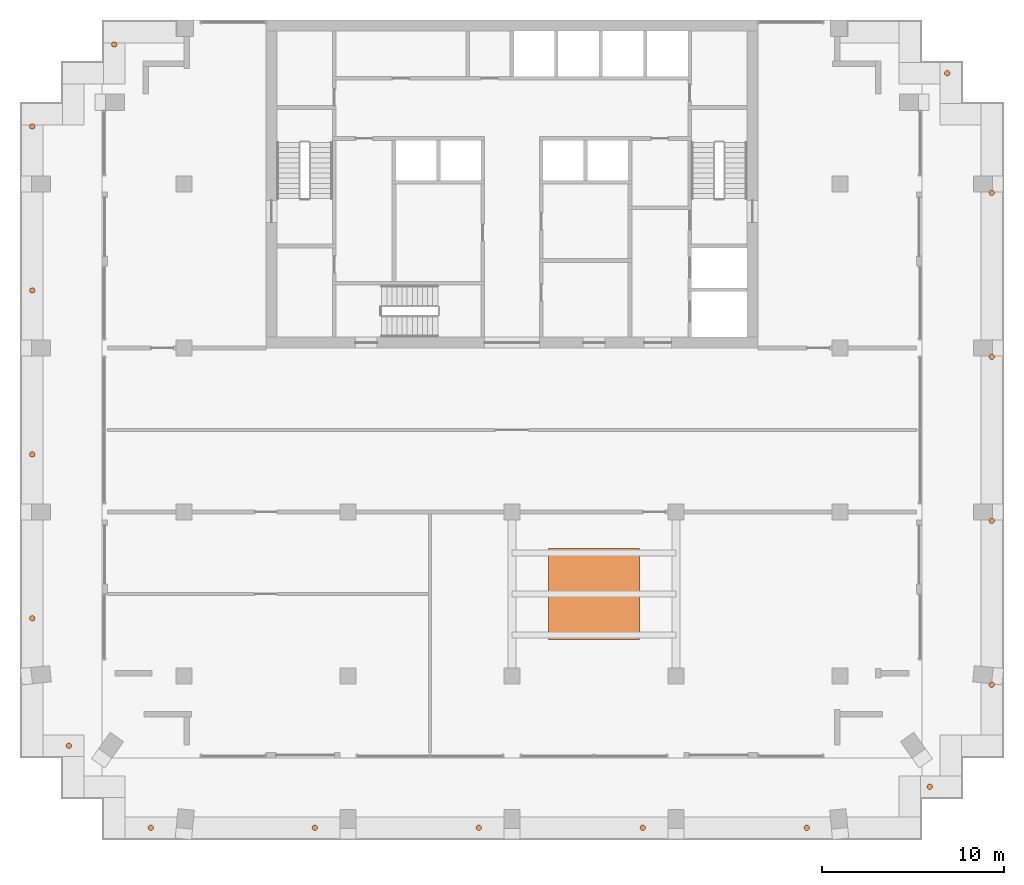
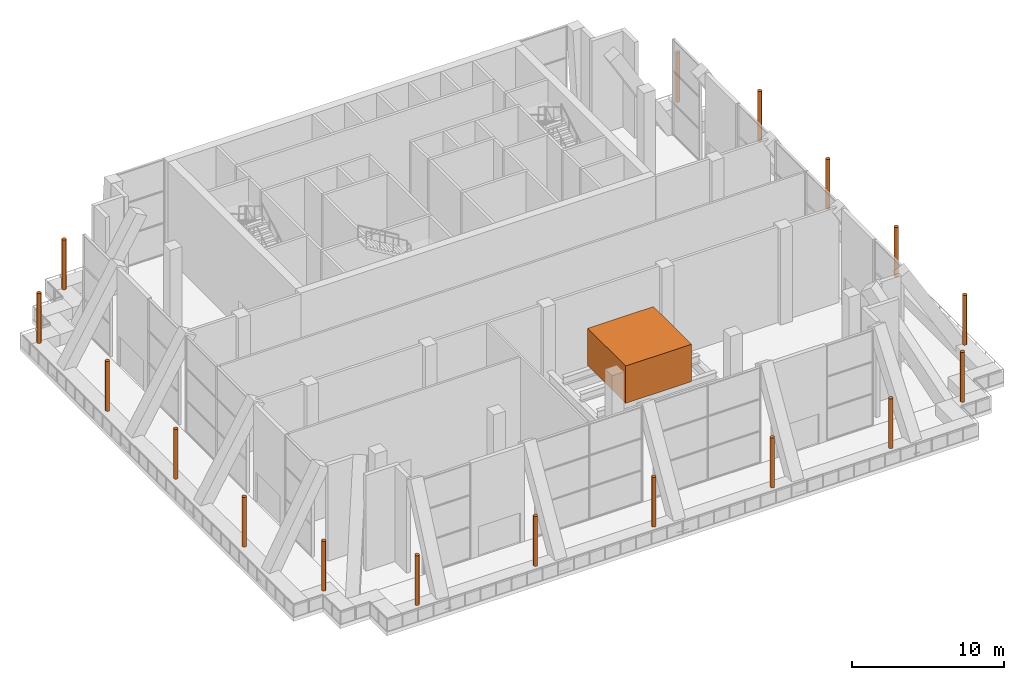
# One storey, part 12 of 12: 17 geographic elements, 1 proxy.
"""IFC4 building model written with IfcOpenShell, lengths in metres."""

from ifc_helpers import new_model, si_unit, direction, frame, origin, origin_2d, place, context, subcontext, project, spatial, rectangle, circle, extrude, material, type_object, element, save


model = new_model("IFC4")

# Units and contexts
model_context = context("Model", 3, precision=1e-05, world=origin(), true_north=direction((0.0, 1.0)))
body_context = subcontext(model_context, "Body", "Model", "MODEL_VIEW")
ifc_project = project(units=[si_unit("LENGTHUNIT", "METRE"), si_unit("AREAUNIT", "SQUARE_METRE"), si_unit("VOLUMEUNIT", "CUBIC_METRE"), si_unit("PLANEANGLEUNIT", "RADIAN"), si_unit("MASSUNIT", "GRAM", prefix="KILO")], contexts=[model_context])

# Site, building, storey
site_placement = place(None, origin())
site = spatial("IfcSite", under=ifc_project, at=site_placement, CompositionType="ELEMENT")
building_placement = place(site_placement, origin())
building = spatial("IfcBuilding", under=site, at=building_placement, Name="Orbiselva Terraces", CompositionType="ELEMENT")
storey_placement = place(building_placement, frame((0.0, 0.0, 289.4)))
storey = spatial("IfcBuildingStorey", under=building, at=storey_placement, Name="L73", CompositionType="ELEMENT", Elevation=289.4)

# Geographic elements
ifc_material_1 = material(Name="Planted tree")
geographic_element_type = type_object("IfcGeographicElementType", Name="ENV-TREE-300x4000", PredefinedType="USERDEFINED", material=ifc_material_1)
for number, where, z_axis, x_axis, name in (
    (1, (-21.83, 21.16, 4.9), (0.0, 0.0, -1.0), (1.0, 0.0, 0.0), "Tree L73"),
    (2, (-26.33, 16.66, 4.9), (0.0, 0.0, -1.0), (1.0, 0.0, 0.0), "Tree L73"),
    (3, (-26.33, 7.66, 4.9), (0.0, 0.0, -1.0), (1.0, 0.0, 0.0), "Tree L73"),
    (4, (-26.33, -1.34, 4.9), (0.0, 0.0, -1.0), (1.0, 0.0, 0.0), "Tree L73"),
    (5, (-26.33, -10.34, 4.9), (0.0, 0.0, -1.0), (1.0, 0.0, 0.0), "Tree L73"),
    (6, (-24.32, -17.33, 4.9), (0.0, 0.0, -1.0), (1.0, 0.0, 0.0), "Tree L73"),
    (7, (-19.82, -21.83, 4.9), (0.0, 0.0, -1.0), (1.0, 0.0, 0.0), "Tree L73"),
    (8, (-10.82, -21.83, 4.9), (0.0, 0.0, -1.0), (1.0, 0.0, 0.0), "Tree L73"),
    (9, (-1.82, -21.83, 4.9), (0.0, 0.0, -1.0), (1.0, 0.0, 0.0), "Tree L73"),
    (10, (7.18, -21.83, 4.9), (0.0, 0.0, -1.0), (1.0, 0.0, 0.0), "Tree L73"),
    (11, (16.18, -21.83, 4.9), (0.0, 0.0, -1.0), (1.0, 0.0, 0.0), "Tree L73"),
    (12, (22.93, -19.58, 4.9), (0.0, 0.0, -1.0), (1.0, 0.0, 0.0), "Tree L73"),
    (13, (26.33, -13.98, 4.9), (0.0, 0.0, -1.0), (1.0, 0.0, 0.0), "Tree L73"),
    (14, (26.33, -4.98, 4.9), (0.0, 0.0, -1.0), (1.0, 0.0, 0.0), "Tree L73"),
    (15, (26.33, 4.02, 4.9), (0.0, 0.0, -1.0), (1.0, 0.0, 0.0), "Tree L73"),
    (16, (26.33, 13.02, 4.9), (0.0, 0.0, -1.0), (1.0, 0.0, 0.0), "Tree L73"),
    (17, (23.89, 19.58, 4.9), (0.0, 0.0, -1.0), (1.0, 0.0, 0.0), "Tree L73"),
):
    element("IfcGeographicElement", number, at=place(storey_placement, frame(where, z_axis=z_axis, x_axis=x_axis)), inside=storey, type_object=geographic_element_type, Name=name, ObjectType="TREE", PredefinedType="USERDEFINED", context=body_context, shape_type="SweptSolid", body=[
        extrude(circle(Radius=0.15, at=origin_2d()), origin(), (0.0, 0.0, 1.0), 4.0),
    ])

# Proxy
ifc_material_2 = material(Name="Steel ASTM A572 Grade 50 plate", Category="steel")
building_element_proxy_type = type_object("IfcBuildingElementProxyType", Name="TUNED MASS DAMPER", PredefinedType="USERDEFINED", material=ifc_material_2)
proxy_placement = place(storey_placement, frame((4.5, -9.0, 3.14), z_axis=(0.0, 0.0, 1.0), x_axis=(1.0, 0.0, 0.0)))
element("IfcBuildingElementProxy", 18, at=proxy_placement, inside=storey, type_object=building_element_proxy_type, Name="Tuned mass damper", ObjectType="TUNED MASS DAMPER", PredefinedType="USERDEFINED", context=body_context, shape_type="SweptSolid", body=[
    extrude(rectangle(XDim=5.0, YDim=5.0, at=origin_2d()), origin(), (0.0, 0.0, 1.0), 3.0),
])

save(model, "model.ifc")
